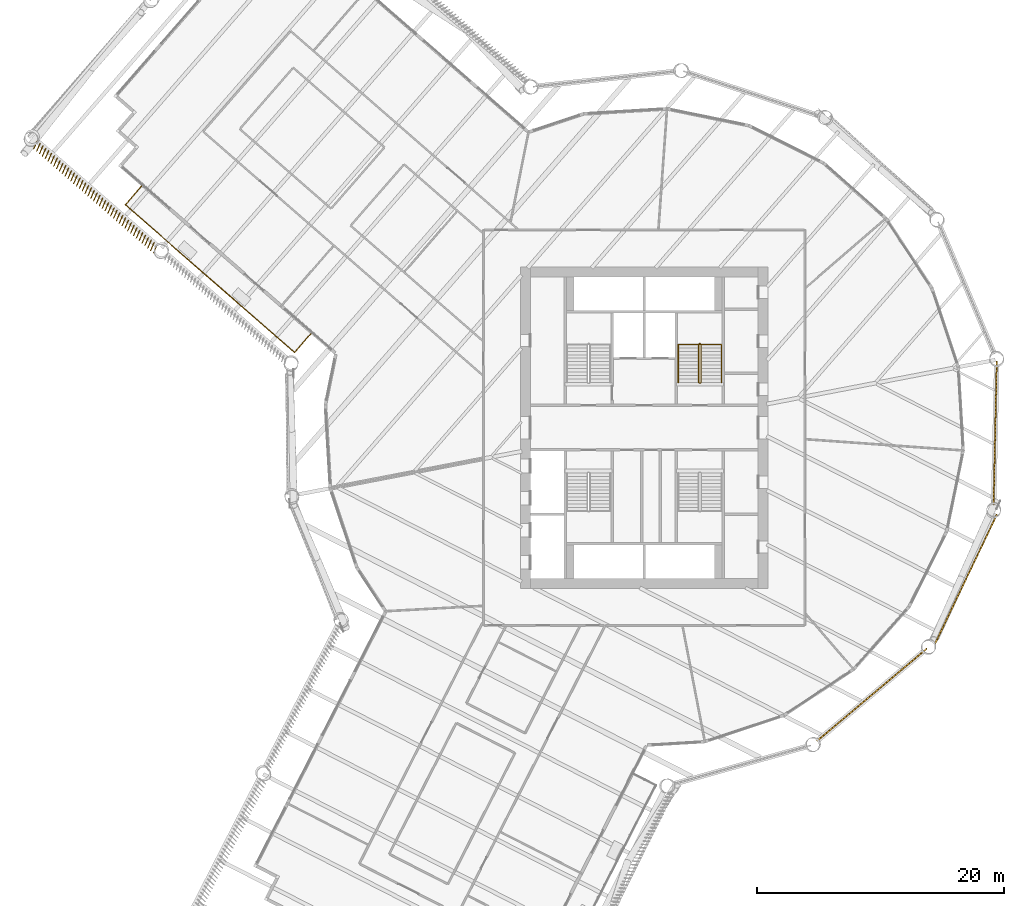
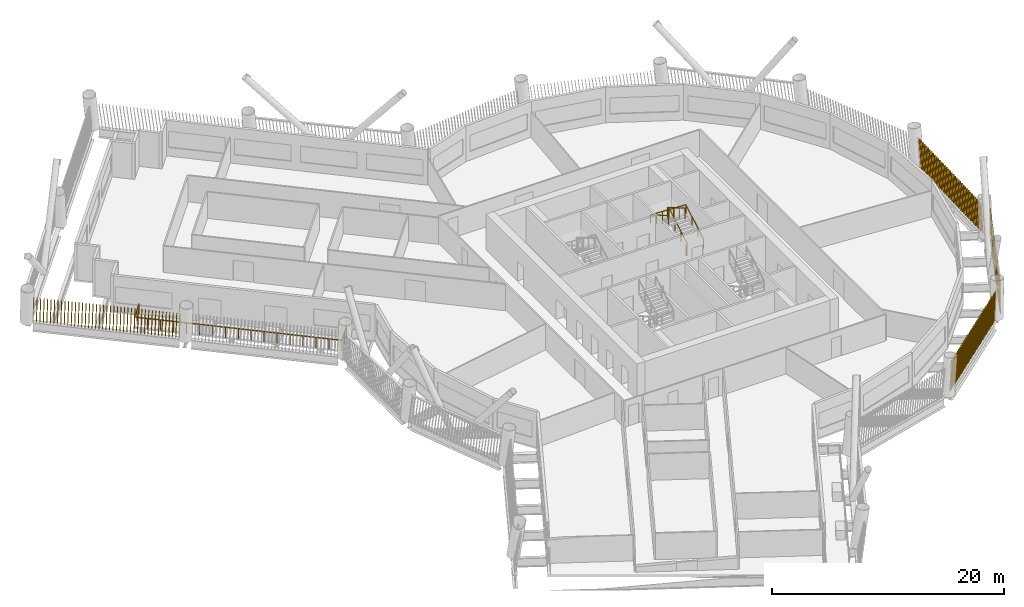
# One storey, part 18 of 21: 4 shading devices, 3 railings.
"""IFC4 building model written with IfcOpenShell, lengths in metres."""

from ifc_helpers import new_model, si_unit, direction, frame, frame_2d, origin, origin_2d, place, context, subcontext, project, spatial, rectangle, circle, composite_profile, extrude, material, type_object, element, save


model = new_model("IFC4")

# Units and contexts
model_context = context("Model", 3, precision=1e-05, world=origin(), true_north=direction((0.0, 1.0)))
body_context = subcontext(model_context, "Body", "Model", "MODEL_VIEW")
ifc_project = project(units=[si_unit("LENGTHUNIT", "METRE"), si_unit("AREAUNIT", "SQUARE_METRE"), si_unit("VOLUMEUNIT", "CUBIC_METRE"), si_unit("PLANEANGLEUNIT", "RADIAN"), si_unit("MASSUNIT", "GRAM", prefix="KILO")], contexts=[model_context])

# Site, building, storey
site_placement = place(None, origin())
site = spatial("IfcSite", under=ifc_project, at=site_placement, CompositionType="ELEMENT")
building_placement = place(site_placement, origin())
building = spatial("IfcBuilding", under=site, at=building_placement, Name="Tarsis Ring Headquarters", CompositionType="ELEMENT")
storey_placement = place(building_placement, frame((0.0, 0.0, 100.60009765625)))
storey = spatial("IfcBuildingStorey", under=building, at=storey_placement, Name="L22", CompositionType="ELEMENT", Elevation=100.60009765625)

# Railings
ifc_material_1 = material(Name="Stainless steel guard", Category="steel")
railing_type_1 = type_object("IfcRailingType", Name="Balcony balustrade with mesh infill 1100", PredefinedType="BALUSTRADE", material=ifc_material_1)
railing_1_placement = place(storey_placement, frame((-40.67529296875, 19.538818359375, 0.0)))
element("IfcRailing", 1, at=railing_1_placement, inside=storey, type_object=railing_type_1, Name="Balcony balustrade L22-01", PredefinedType="BALUSTRADE", context=body_context, shape_type="SweptSolid", body=[
    extrude(circle(Radius=0.030029296875, at=origin_2d()), frame((0.0, 0.0, 1.070068359375), z_axis=(-0.657112080824, -0.753792884839, 0.0), x_axis=(0.753792884839, -0.657112080824, 0.0)), (0.0, 0.0, 1.0), 2.0),
    extrude(circle(Radius=0.030029296875, at=origin_2d()), frame((-1.314208984375, -1.507568359375, 1.070068359375), z_axis=(0.75379218218, -0.657112886865, 0.0), x_axis=(0.657112886865, 0.75379218218, 0.0)), (0.0, 0.0, 1.0), 18.171875),
    extrude(circle(Radius=0.030029296875, at=origin_2d()), frame((12.383544921875, -13.448486328125, 1.070068359375), z_axis=(0.657181434085, 0.753732421151, 0.0), x_axis=(-0.753732421151, 0.657181434085, 0.0)), (0.0, 0.0, 1.0), 2.000244140625),
    extrude(circle(Radius=0.02490234375, at=origin_2d()), origin(), (0.0, 0.0, 1.0), 1.0400390625),
    extrude(circle(Radius=0.02490234375, at=origin_2d()), frame((-0.6572265625, -0.75390625, 0.0)), (0.0, 0.0, 1.0), 1.0400390625),
    extrude(circle(Radius=0.02490234375, at=origin_2d()), frame((-1.314208984375, -1.507568359375, 0.0)), (0.0, 0.0, 1.0), 1.0400390625),
    extrude(circle(Radius=0.02490234375, at=origin_2d()), frame((-0.4580078125, -2.25390625, 0.0)), (0.0, 0.0, 1.0), 1.0400390625),
    extrude(circle(Radius=0.02490234375, at=origin_2d()), frame((0.39794921875, -3.000244140625, 0.0)), (0.0, 0.0, 1.0), 1.0400390625),
    extrude(circle(Radius=0.02490234375, at=origin_2d()), frame((1.254150390625, -3.74658203125, 0.0)), (0.0, 0.0, 1.0), 1.0400390625),
    extrude(circle(Radius=0.02490234375, at=origin_2d()), frame((2.1103515625, -4.49267578125, 0.0)), (0.0, 0.0, 1.0), 1.0400390625),
    extrude(circle(Radius=0.02490234375, at=origin_2d()), frame((2.96630859375, -5.239013671875, 0.0)), (0.0, 0.0, 1.0), 1.0400390625),
    extrude(circle(Radius=0.02490234375, at=origin_2d()), frame((3.822509765625, -5.9853515625, 0.0)), (0.0, 0.0, 1.0), 1.0400390625),
    extrude(circle(Radius=0.02490234375, at=origin_2d()), frame((4.678466796875, -6.731689453125, 0.0)), (0.0, 0.0, 1.0), 1.0400390625),
    extrude(circle(Radius=0.02490234375, at=origin_2d()), frame((5.53466796875, -7.47802734375, 0.0)), (0.0, 0.0, 1.0), 1.0400390625),
    extrude(circle(Radius=0.02490234375, at=origin_2d()), frame((6.390869140625, -8.224365234375, 0.0)), (0.0, 0.0, 1.0), 1.0400390625),
    extrude(circle(Radius=0.02490234375, at=origin_2d()), frame((7.246826171875, -8.970703125, 0.0)), (0.0, 0.0, 1.0), 1.0400390625),
    extrude(circle(Radius=0.02490234375, at=origin_2d()), frame((8.10302734375, -9.717041015625, 0.0)), (0.0, 0.0, 1.0), 1.0400390625),
    extrude(circle(Radius=0.02490234375, at=origin_2d()), frame((8.958984375, -10.46337890625, 0.0)), (0.0, 0.0, 1.0), 1.0400390625),
    extrude(circle(Radius=0.02490234375, at=origin_2d()), frame((9.815185546875, -11.20947265625, 0.0)), (0.0, 0.0, 1.0), 1.0400390625),
    extrude(circle(Radius=0.02490234375, at=origin_2d()), frame((10.67138671875, -11.955810546875, 0.0)), (0.0, 0.0, 1.0), 1.0400390625),
    extrude(circle(Radius=0.02490234375, at=origin_2d()), frame((11.52734375, -12.7021484375, 0.0)), (0.0, 0.0, 1.0), 1.0400390625),
    extrude(circle(Radius=0.02490234375, at=origin_2d()), frame((12.383544921875, -13.448486328125, 0.0)), (0.0, 0.0, 1.0), 1.0400390625),
    extrude(circle(Radius=0.02490234375, at=origin_2d()), frame((13.040771484375, -12.69482421875, 0.0)), (0.0, 0.0, 1.0), 1.0400390625),
    extrude(circle(Radius=0.02490234375, at=origin_2d()), frame((13.697998046875, -11.94091796875, 0.0)), (0.0, 0.0, 1.0), 1.0400390625),
])
ifc_material_2 = material(Name="Steel S355", Category="steel")
railing_type_2 = type_object("IfcRailingType", Name="Core stair guard 1100", PredefinedType="GUARDRAIL", material=ifc_material_2)
railing_2_placement = place(storey_placement, frame((4.4599609375, 3.610107421875, 0.0)))
element("IfcRailing", 2, at=railing_2_placement, inside=storey, type_object=railing_type_2, Name="L22 ST2 stair guard 1", PredefinedType="GUARDRAIL", context=body_context, shape_type="SweptSolid", body=[
    extrude(circle(Radius=0.02392578125, at=origin_2d()), frame((0.0, 0.0, 1.076171875), z_axis=(1.0, 0.0, 0.0), x_axis=(0.0, 1.0, 0.0)), (0.0, 0.0, 1.0), 0.080078125),
    extrude(circle(Radius=0.02392578125, at=origin_2d()), frame((0.080078125, 0.0, 1.076171875), z_axis=(0.282693820306, 0.281314826061, 0.917031173188), x_axis=(-0.705375805398, 0.708833529934, 0.0)), (0.0, 0.0, 1.0), 0.177001953125),
    extrude(circle(Radius=0.02392578125, at=origin_2d()), frame((0.130126953125, 0.0498046875, 1.23828125), z_axis=(0.0, 0.864890721111, 0.501960198159), x_axis=(-1.0, 0.0, 0.0)), (0.0, 0.0, 1.0), 3.561279296875),
    extrude(circle(Radius=0.02392578125, at=origin_2d()), frame((0.130126953125, 3.1298828125, 3.02587890625), z_axis=(-0.707106781187, 0.707106781187, 0.0), x_axis=(-0.707106781187, -0.707106781187, 0.0)), (0.0, 0.0, 1.0), 0.07080078125),
    extrude(circle(Radius=0.02392578125, at=origin_2d()), frame((0.080078125, 3.179931640625, 3.02587890625), z_axis=(-1.0, 0.0, 0.0), x_axis=(0.0, -1.0, 0.0)), (0.0, 0.0, 1.0), 0.080078125),
    extrude(circle(Radius=0.02392578125, at=origin_2d()), frame((0.0, 3.179931640625, 3.02587890625), z_axis=(-0.282583949758, -0.282583949758, 0.916674763849), x_axis=(0.707106781187, -0.707106781187, 0.0)), (0.0, 0.0, 1.0), 0.177001953125),
    extrude(circle(Radius=0.02392578125, at=origin_2d()), frame((-0.050048828125, 3.1298828125, 3.1884765625), z_axis=(0.0, -0.864890721111, 0.501960198159), x_axis=(1.0, 0.0, 0.0)), (0.0, 0.0, 1.0), 3.561279296875),
    extrude(circle(Radius=0.02099609375, at=origin_2d()), origin(), (0.0, 0.0, 1.0), 1.052001953125),
    extrude(circle(Radius=0.02099609375, at=origin_2d()), frame((0.080078125, 0.0, 0.0)), (0.0, 0.0, 1.0), 1.052001953125),
    extrude(circle(Radius=0.02099609375, at=origin_2d()), frame((0.130126953125, 0.0498046875, 0.162353515625)), (0.0, 0.0, 1.0), 1.052001953125),
    extrude(circle(Radius=0.02099609375, at=origin_2d()), frame((0.130126953125, 1.076416015625, 0.75830078125)), (0.0, 0.0, 1.0), 1.052001953125),
    extrude(circle(Radius=0.02099609375, at=origin_2d()), frame((0.130126953125, 2.103271484375, 1.35400390625)), (0.0, 0.0, 1.0), 1.052001953125),
    extrude(circle(Radius=0.02099609375, at=origin_2d()), frame((0.130126953125, 3.1298828125, 1.949951171875)), (0.0, 0.0, 1.0), 1.052001953125),
    extrude(circle(Radius=0.02099609375, at=origin_2d()), frame((0.080078125, 3.179931640625, 1.949951171875)), (0.0, 0.0, 1.0), 1.052001953125),
    extrude(circle(Radius=0.02099609375, at=origin_2d()), frame((0.0, 3.179931640625, 1.949951171875)), (0.0, 0.0, 1.0), 1.052001953125),
    extrude(circle(Radius=0.02099609375, at=origin_2d()), frame((-0.050048828125, 3.1298828125, 2.1123046875)), (0.0, 0.0, 1.0), 1.052001953125),
    extrude(circle(Radius=0.02099609375, at=origin_2d()), frame((-0.050048828125, 2.103271484375, 2.708251953125)), (0.0, 0.0, 1.0), 1.052001953125),
    extrude(circle(Radius=0.02099609375, at=origin_2d()), frame((-0.050048828125, 1.076416015625, 3.303955078125)), (0.0, 0.0, 1.0), 1.052001953125),
    extrude(circle(Radius=0.02099609375, at=origin_2d()), frame((-0.050048828125, 0.0498046875, 3.89990234375)), (0.0, 0.0, 1.0), 1.052001953125),
])
railing_type_3 = type_object("IfcRailingType", Name="Core stair handrail 900", PredefinedType="HANDRAIL", material=ifc_material_2)
railing_3_placement = place(storey_placement, frame((6.25, 3.659912109375, 0.162353515625)))
element("IfcRailing", 3, at=railing_3_placement, inside=storey, type_object=railing_type_3, Name="L22 ST2 stair handrail 1", PredefinedType="HANDRAIL", context=body_context, shape_type="SweptSolid", body=[
    extrude(circle(Radius=0.02392578125, at=origin_2d()), frame((0.0, 0.0, 0.8759765625), z_axis=(0.0, 0.864890721111, 0.501960198159), x_axis=(-1.0, 0.0, 0.0)), (0.0, 0.0, 1.0), 3.561279296875),
    extrude(circle(Radius=0.02392578125, at=origin_2d()), frame((0.0, 3.080078125, 2.66357421875), z_axis=(-0.998925869279, 0.0, 0.04633689335), x_axis=(0.0, -1.0, 0.0)), (0.0, 0.0, 1.0), 3.503662109375),
    extrude(circle(Radius=0.02392578125, at=origin_2d()), frame((-3.5, 3.080078125, 2.82568359375), z_axis=(0.0, -0.864890721111, 0.501960198159), x_axis=(1.0, 0.0, 0.0)), (0.0, 0.0, 1.0), 3.561279296875),
    extrude(circle(Radius=0.02099609375, at=origin_2d()), origin(), (0.0, 0.0, 1.0), 0.851806640625),
    extrude(circle(Radius=0.02099609375, at=origin_2d()), frame((0.0, 1.026611328125, 0.595947265625)), (0.0, 0.0, 1.0), 0.851806640625),
    extrude(circle(Radius=0.02099609375, at=origin_2d()), frame((0.0, 2.053466796875, 1.191650390625)), (0.0, 0.0, 1.0), 0.851806640625),
    extrude(circle(Radius=0.02099609375, at=origin_2d()), frame((0.0, 3.080078125, 1.78759765625)), (0.0, 0.0, 1.0), 0.851806640625),
    extrude(circle(Radius=0.02099609375, at=origin_2d()), frame((-1.166748046875, 3.080078125, 1.841796875)), (0.0, 0.0, 1.0), 0.851806640625),
    extrude(circle(Radius=0.02099609375, at=origin_2d()), frame((-2.333251953125, 3.080078125, 1.895751953125)), (0.0, 0.0, 1.0), 0.851806640625),
    extrude(circle(Radius=0.02099609375, at=origin_2d()), frame((-3.5, 3.080078125, 1.949951171875)), (0.0, 0.0, 1.0), 0.851806640625),
    extrude(circle(Radius=0.02099609375, at=origin_2d()), frame((-3.5, 2.053466796875, 2.5458984375)), (0.0, 0.0, 1.0), 0.851806640625),
    extrude(circle(Radius=0.02099609375, at=origin_2d()), frame((-3.5, 1.026611328125, 3.1416015625)), (0.0, 0.0, 1.0), 0.851806640625),
    extrude(circle(Radius=0.02099609375, at=origin_2d()), frame((-3.5, 0.0, 3.737548828125)), (0.0, 0.0, 1.0), 0.851806640625),
])

# Shading devices
ifc_material_3 = material(Name="Terracotta baguette", Category="masonry")
shading_device_type = type_object("IfcShadingDeviceType", Name="Terracotta baguette screen", PredefinedType="USERDEFINED", material=ifc_material_3)
shading_device_1_placement = place(storey_placement, frame((13.971923828125, -25.35205078125, 0.0), z_axis=(0.0, 0.0, 1.0), x_axis=(0.765322510635, 0.643632259745, 0.0)))
element("IfcShadingDevice", 4, at=shading_device_1_placement, inside=storey, type_object=shading_device_type, Name="Baguette screen L22-08", ObjectType="Terracotta baguette screen", PredefinedType="USERDEFINED", context=body_context, shape_type="SweptSolid", body=[
    extrude(composite_profile([rectangle(XDim=0.06005859375, YDim=0.1201171875, at=frame_2d((0.030029296875, 0.0))), rectangle(XDim=0.06005859375, YDim=0.1201171875, at=frame_2d((0.33251953125, 0.0))), rectangle(XDim=0.06005859375, YDim=0.1201171875, at=frame_2d((0.634765625, 0.0))), rectangle(XDim=0.06005859375, YDim=0.1201171875, at=frame_2d((0.937255859375, 0.0))), rectangle(XDim=0.06005859375, YDim=0.1201171875, at=frame_2d((1.239501953125, 0.0))), rectangle(XDim=0.06005859375, YDim=0.1201171875, at=frame_2d((1.5419921875, 0.0))), rectangle(XDim=0.06005859375, YDim=0.1201171875, at=frame_2d((1.844482421875, 0.0))), rectangle(XDim=0.06005859375, YDim=0.1201171875, at=frame_2d((2.146728515625, 0.0))), rectangle(XDim=0.06005859375, YDim=0.1201171875, at=frame_2d((2.44921875, 0.0))), rectangle(XDim=0.06005859375, YDim=0.1201171875, at=frame_2d((2.751708984375, 0.0))), rectangle(XDim=0.06005859375, YDim=0.1201171875, at=frame_2d((3.053955078125, 0.0))), rectangle(XDim=0.06005859375, YDim=0.1201171875, at=frame_2d((3.3564453125, 0.0))), rectangle(XDim=0.06005859375, YDim=0.1201171875, at=frame_2d((3.65869140625, 0.0))), rectangle(XDim=0.06005859375, YDim=0.1201171875, at=frame_2d((3.961181640625, 0.0))), rectangle(XDim=0.06005859375, YDim=0.1201171875, at=frame_2d((4.263671875, 0.0))), rectangle(XDim=0.06005859375, YDim=0.1201171875, at=frame_2d((4.56591796875, 0.0))), rectangle(XDim=0.06005859375, YDim=0.1201171875, at=frame_2d((4.868408203125, 0.0))), rectangle(XDim=0.06005859375, YDim=0.1201171875, at=frame_2d((5.1708984375, 0.0))), rectangle(XDim=0.06005859375, YDim=0.1201171875, at=frame_2d((5.47314453125, 0.0))), rectangle(XDim=0.06005859375, YDim=0.1201171875, at=frame_2d((5.775634765625, 0.0))), rectangle(XDim=0.06005859375, YDim=0.1201171875, at=frame_2d((6.077880859375, 0.0))), rectangle(XDim=0.06005859375, YDim=0.1201171875, at=frame_2d((6.38037109375, 0.0))), rectangle(XDim=0.06005859375, YDim=0.1201171875, at=frame_2d((6.682861328125, 0.0))), rectangle(XDim=0.06005859375, YDim=0.1201171875, at=frame_2d((6.985107421875, 0.0))), rectangle(XDim=0.06005859375, YDim=0.1201171875, at=frame_2d((7.28759765625, 0.0))), rectangle(XDim=0.06005859375, YDim=0.1201171875, at=frame_2d((7.590087890625, 0.0))), rectangle(XDim=0.06005859375, YDim=0.1201171875, at=frame_2d((7.892333984375, 0.0))), rectangle(XDim=0.06005859375, YDim=0.1201171875, at=frame_2d((8.19482421875, 0.0))), rectangle(XDim=0.06005859375, YDim=0.1201171875, at=frame_2d((8.4970703125, 0.0))), rectangle(XDim=0.06005859375, YDim=0.1201171875, at=frame_2d((8.799560546875, 0.0))), rectangle(XDim=0.06005859375, YDim=0.1201171875, at=frame_2d((9.10205078125, 0.0))), rectangle(XDim=0.06005859375, YDim=0.1201171875, at=frame_2d((9.404296875, 0.0))), rectangle(XDim=0.06005859375, YDim=0.1201171875, at=frame_2d((9.706787109375, 0.0))), rectangle(XDim=0.06005859375, YDim=0.1201171875, at=frame_2d((10.00927734375, 0.0))), rectangle(XDim=0.06005859375, YDim=0.1201171875, at=frame_2d((10.3115234375, 0.0))), rectangle(XDim=0.06005859375, YDim=0.1201171875, at=frame_2d((10.614013671875, 0.0))), rectangle(XDim=0.06005859375, YDim=0.1201171875, at=frame_2d((10.916259765625, 0.0))), rectangle(XDim=0.06005859375, YDim=0.1201171875, at=frame_2d((11.21875, 0.0)))]), origin(), (0.129819467843, 0.00088363436, 0.99153725344), 2.9775390625),
])
shading_device_2_placement = place(storey_placement, frame((23.517822265625, -17.5009765625, 0.0), z_axis=(0.0, 0.0, 1.0), x_axis=(0.431991318502, 0.901877373847, 0.0)))
element("IfcShadingDevice", 5, at=shading_device_2_placement, inside=storey, type_object=shading_device_type, Name="Baguette screen L22-09", ObjectType="Terracotta baguette screen", PredefinedType="USERDEFINED", context=body_context, shape_type="SweptSolid", body=[
    extrude(composite_profile([rectangle(XDim=0.06005859375, YDim=0.1201171875, at=frame_2d((0.030029296875, 0.0))), rectangle(XDim=0.06005859375, YDim=0.1201171875, at=frame_2d((0.33251953125, 0.0))), rectangle(XDim=0.06005859375, YDim=0.1201171875, at=frame_2d((0.634765625, 0.0))), rectangle(XDim=0.06005859375, YDim=0.1201171875, at=frame_2d((0.937255859375, 0.0))), rectangle(XDim=0.06005859375, YDim=0.1201171875, at=frame_2d((1.239501953125, 0.0))), rectangle(XDim=0.06005859375, YDim=0.1201171875, at=frame_2d((1.5419921875, 0.0))), rectangle(XDim=0.06005859375, YDim=0.1201171875, at=frame_2d((1.844482421875, 0.0))), rectangle(XDim=0.06005859375, YDim=0.1201171875, at=frame_2d((2.146728515625, 0.0))), rectangle(XDim=0.06005859375, YDim=0.1201171875, at=frame_2d((2.44921875, 0.0))), rectangle(XDim=0.06005859375, YDim=0.1201171875, at=frame_2d((2.751708984375, 0.0))), rectangle(XDim=0.06005859375, YDim=0.1201171875, at=frame_2d((3.053955078125, 0.0))), rectangle(XDim=0.06005859375, YDim=0.1201171875, at=frame_2d((3.3564453125, 0.0))), rectangle(XDim=0.06005859375, YDim=0.1201171875, at=frame_2d((3.65869140625, 0.0))), rectangle(XDim=0.06005859375, YDim=0.1201171875, at=frame_2d((3.961181640625, 0.0))), rectangle(XDim=0.06005859375, YDim=0.1201171875, at=frame_2d((4.263671875, 0.0))), rectangle(XDim=0.06005859375, YDim=0.1201171875, at=frame_2d((4.56591796875, 0.0))), rectangle(XDim=0.06005859375, YDim=0.1201171875, at=frame_2d((4.868408203125, 0.0))), rectangle(XDim=0.06005859375, YDim=0.1201171875, at=frame_2d((5.1708984375, 0.0))), rectangle(XDim=0.06005859375, YDim=0.1201171875, at=frame_2d((5.47314453125, 0.0))), rectangle(XDim=0.06005859375, YDim=0.1201171875, at=frame_2d((5.775634765625, 0.0))), rectangle(XDim=0.06005859375, YDim=0.1201171875, at=frame_2d((6.077880859375, 0.0))), rectangle(XDim=0.06005859375, YDim=0.1201171875, at=frame_2d((6.38037109375, 0.0))), rectangle(XDim=0.06005859375, YDim=0.1201171875, at=frame_2d((6.682861328125, 0.0))), rectangle(XDim=0.06005859375, YDim=0.1201171875, at=frame_2d((6.985107421875, 0.0))), rectangle(XDim=0.06005859375, YDim=0.1201171875, at=frame_2d((7.28759765625, 0.0))), rectangle(XDim=0.06005859375, YDim=0.1201171875, at=frame_2d((7.590087890625, 0.0))), rectangle(XDim=0.06005859375, YDim=0.1201171875, at=frame_2d((7.892333984375, 0.0))), rectangle(XDim=0.06005859375, YDim=0.1201171875, at=frame_2d((8.19482421875, 0.0))), rectangle(XDim=0.06005859375, YDim=0.1201171875, at=frame_2d((8.4970703125, 0.0))), rectangle(XDim=0.06005859375, YDim=0.1201171875, at=frame_2d((8.799560546875, 0.0))), rectangle(XDim=0.06005859375, YDim=0.1201171875, at=frame_2d((9.10205078125, 0.0))), rectangle(XDim=0.06005859375, YDim=0.1201171875, at=frame_2d((9.404296875, 0.0))), rectangle(XDim=0.06005859375, YDim=0.1201171875, at=frame_2d((9.706787109375, 0.0))), rectangle(XDim=0.06005859375, YDim=0.1201171875, at=frame_2d((10.00927734375, 0.0))), rectangle(XDim=0.06005859375, YDim=0.1201171875, at=frame_2d((10.3115234375, 0.0))), rectangle(XDim=0.06005859375, YDim=0.1201171875, at=frame_2d((10.614013671875, 0.0))), rectangle(XDim=0.06005859375, YDim=0.1201171875, at=frame_2d((10.916259765625, 0.0))), rectangle(XDim=0.06005859375, YDim=0.1201171875, at=frame_2d((11.21875, 0.0)))]), origin(), (0.131505505035, 0.000896014783, 0.991315035346), 2.978271484375),
])
shading_device_3_placement = place(storey_placement, frame((28.265869140625, -6.2431640625, 0.0), z_axis=(0.0, 0.0, 1.0), x_axis=(0.021855670103, 0.999761258817, 0.0)))
element("IfcShadingDevice", 6, at=shading_device_3_placement, inside=storey, type_object=shading_device_type, Name="Baguette screen L22-10", ObjectType="Terracotta baguette screen", PredefinedType="USERDEFINED", context=body_context, shape_type="SweptSolid", body=[
    extrude(composite_profile([rectangle(XDim=0.06005859375, YDim=0.1201171875, at=frame_2d((0.030029296875, 0.0))), rectangle(XDim=0.06005859375, YDim=0.1201171875, at=frame_2d((0.33251953125, 0.0))), rectangle(XDim=0.06005859375, YDim=0.1201171875, at=frame_2d((0.634765625, 0.0))), rectangle(XDim=0.06005859375, YDim=0.1201171875, at=frame_2d((0.937255859375, 0.0))), rectangle(XDim=0.06005859375, YDim=0.1201171875, at=frame_2d((1.239501953125, 0.0))), rectangle(XDim=0.06005859375, YDim=0.1201171875, at=frame_2d((1.5419921875, 0.0))), rectangle(XDim=0.06005859375, YDim=0.1201171875, at=frame_2d((1.844482421875, 0.0))), rectangle(XDim=0.06005859375, YDim=0.1201171875, at=frame_2d((2.146728515625, 0.0))), rectangle(XDim=0.06005859375, YDim=0.1201171875, at=frame_2d((2.44921875, 0.0))), rectangle(XDim=0.06005859375, YDim=0.1201171875, at=frame_2d((2.751708984375, 0.0))), rectangle(XDim=0.06005859375, YDim=0.1201171875, at=frame_2d((3.053955078125, 0.0))), rectangle(XDim=0.06005859375, YDim=0.1201171875, at=frame_2d((3.3564453125, 0.0))), rectangle(XDim=0.06005859375, YDim=0.1201171875, at=frame_2d((3.65869140625, 0.0))), rectangle(XDim=0.06005859375, YDim=0.1201171875, at=frame_2d((3.961181640625, 0.0))), rectangle(XDim=0.06005859375, YDim=0.1201171875, at=frame_2d((4.263671875, 0.0))), rectangle(XDim=0.06005859375, YDim=0.1201171875, at=frame_2d((4.56591796875, 0.0))), rectangle(XDim=0.06005859375, YDim=0.1201171875, at=frame_2d((4.868408203125, 0.0))), rectangle(XDim=0.06005859375, YDim=0.1201171875, at=frame_2d((5.1708984375, 0.0))), rectangle(XDim=0.06005859375, YDim=0.1201171875, at=frame_2d((5.47314453125, 0.0))), rectangle(XDim=0.06005859375, YDim=0.1201171875, at=frame_2d((5.775634765625, 0.0))), rectangle(XDim=0.06005859375, YDim=0.1201171875, at=frame_2d((6.077880859375, 0.0))), rectangle(XDim=0.06005859375, YDim=0.1201171875, at=frame_2d((6.38037109375, 0.0))), rectangle(XDim=0.06005859375, YDim=0.1201171875, at=frame_2d((6.682861328125, 0.0))), rectangle(XDim=0.06005859375, YDim=0.1201171875, at=frame_2d((6.985107421875, 0.0))), rectangle(XDim=0.06005859375, YDim=0.1201171875, at=frame_2d((7.28759765625, 0.0))), rectangle(XDim=0.06005859375, YDim=0.1201171875, at=frame_2d((7.590087890625, 0.0))), rectangle(XDim=0.06005859375, YDim=0.1201171875, at=frame_2d((7.892333984375, 0.0))), rectangle(XDim=0.06005859375, YDim=0.1201171875, at=frame_2d((8.19482421875, 0.0))), rectangle(XDim=0.06005859375, YDim=0.1201171875, at=frame_2d((8.4970703125, 0.0))), rectangle(XDim=0.06005859375, YDim=0.1201171875, at=frame_2d((8.799560546875, 0.0))), rectangle(XDim=0.06005859375, YDim=0.1201171875, at=frame_2d((9.10205078125, 0.0))), rectangle(XDim=0.06005859375, YDim=0.1201171875, at=frame_2d((9.404296875, 0.0))), rectangle(XDim=0.06005859375, YDim=0.1201171875, at=frame_2d((9.706787109375, 0.0))), rectangle(XDim=0.06005859375, YDim=0.1201171875, at=frame_2d((10.00927734375, 0.0))), rectangle(XDim=0.06005859375, YDim=0.1201171875, at=frame_2d((10.3115234375, 0.0))), rectangle(XDim=0.06005859375, YDim=0.1201171875, at=frame_2d((10.614013671875, 0.0))), rectangle(XDim=0.06005859375, YDim=0.1201171875, at=frame_2d((10.916259765625, 0.0))), rectangle(XDim=0.06005859375, YDim=0.1201171875, at=frame_2d((11.21875, 0.0)))]), origin(), (0.129820928024, 0.000885957274, 0.991537060188), 2.9775390625),
])
shading_device_4_placement = place(storey_placement, frame((-49.148681640625, 23.2109375, 0.0), z_axis=(0.0, 0.0, 1.0), x_axis=(0.753784438389, -0.657110959734, 0.0)))
element("IfcShadingDevice", 7, at=shading_device_4_placement, inside=storey, type_object=shading_device_type, Name="Baguette screen L22-19", ObjectType="Terracotta baguette screen", PredefinedType="USERDEFINED", context=body_context, shape_type="SweptSolid", body=[
    extrude(composite_profile([rectangle(XDim=0.06005859375, YDim=0.1201171875, at=frame_2d((0.030029296875, 0.0))), rectangle(XDim=0.06005859375, YDim=0.1201171875, at=frame_2d((0.335693359375, 0.0))), rectangle(XDim=0.06005859375, YDim=0.1201171875, at=frame_2d((0.6416015625, 0.0))), rectangle(XDim=0.06005859375, YDim=0.1201171875, at=frame_2d((0.947265625, 0.0))), rectangle(XDim=0.06005859375, YDim=0.1201171875, at=frame_2d((1.253173828125, 0.0))), rectangle(XDim=0.06005859375, YDim=0.1201171875, at=frame_2d((1.558837890625, 0.0))), rectangle(XDim=0.06005859375, YDim=0.1201171875, at=frame_2d((1.864501953125, 0.0))), rectangle(XDim=0.06005859375, YDim=0.1201171875, at=frame_2d((2.17041015625, 0.0))), rectangle(XDim=0.06005859375, YDim=0.1201171875, at=frame_2d((2.47607421875, 0.0))), rectangle(XDim=0.06005859375, YDim=0.1201171875, at=frame_2d((2.781982421875, 0.0))), rectangle(XDim=0.06005859375, YDim=0.1201171875, at=frame_2d((3.087646484375, 0.0))), rectangle(XDim=0.06005859375, YDim=0.1201171875, at=frame_2d((3.393310546875, 0.0))), rectangle(XDim=0.06005859375, YDim=0.1201171875, at=frame_2d((3.69921875, 0.0))), rectangle(XDim=0.06005859375, YDim=0.1201171875, at=frame_2d((4.0048828125, 0.0))), rectangle(XDim=0.06005859375, YDim=0.1201171875, at=frame_2d((4.310791015625, 0.0))), rectangle(XDim=0.06005859375, YDim=0.1201171875, at=frame_2d((4.616455078125, 0.0))), rectangle(XDim=0.06005859375, YDim=0.1201171875, at=frame_2d((4.922119140625, 0.0))), rectangle(XDim=0.06005859375, YDim=0.1201171875, at=frame_2d((5.22802734375, 0.0))), rectangle(XDim=0.06005859375, YDim=0.1201171875, at=frame_2d((5.53369140625, 0.0))), rectangle(XDim=0.06005859375, YDim=0.1201171875, at=frame_2d((5.839599609375, 0.0))), rectangle(XDim=0.06005859375, YDim=0.1201171875, at=frame_2d((6.145263671875, 0.0))), rectangle(XDim=0.06005859375, YDim=0.1201171875, at=frame_2d((6.451171875, 0.0))), rectangle(XDim=0.06005859375, YDim=0.1201171875, at=frame_2d((6.7568359375, 0.0))), rectangle(XDim=0.06005859375, YDim=0.1201171875, at=frame_2d((7.0625, 0.0))), rectangle(XDim=0.06005859375, YDim=0.1201171875, at=frame_2d((7.368408203125, 0.0))), rectangle(XDim=0.06005859375, YDim=0.1201171875, at=frame_2d((7.674072265625, 0.0))), rectangle(XDim=0.06005859375, YDim=0.1201171875, at=frame_2d((7.97998046875, 0.0))), rectangle(XDim=0.06005859375, YDim=0.1201171875, at=frame_2d((8.28564453125, 0.0))), rectangle(XDim=0.06005859375, YDim=0.1201171875, at=frame_2d((8.59130859375, 0.0))), rectangle(XDim=0.06005859375, YDim=0.1201171875, at=frame_2d((8.897216796875, 0.0))), rectangle(XDim=0.06005859375, YDim=0.1201171875, at=frame_2d((9.202880859375, 0.0))), rectangle(XDim=0.06005859375, YDim=0.1201171875, at=frame_2d((9.5087890625, 0.0))), rectangle(XDim=0.06005859375, YDim=0.1201171875, at=frame_2d((9.814453125, 0.0))), rectangle(XDim=0.06005859375, YDim=0.1201171875, at=frame_2d((10.1201171875, 0.0))), rectangle(XDim=0.06005859375, YDim=0.1201171875, at=frame_2d((10.426025390625, 0.0))), rectangle(XDim=0.06005859375, YDim=0.1201171875, at=frame_2d((10.731689453125, 0.0))), rectangle(XDim=0.06005859375, YDim=0.1201171875, at=frame_2d((11.03759765625, 0.0))), rectangle(XDim=0.06005859375, YDim=0.1201171875, at=frame_2d((11.34326171875, 0.0))), rectangle(XDim=0.06005859375, YDim=0.1201171875, at=frame_2d((11.64892578125, 0.0))), rectangle(XDim=0.06005859375, YDim=0.1201171875, at=frame_2d((11.954833984375, 0.0))), rectangle(XDim=0.06005859375, YDim=0.1201171875, at=frame_2d((12.260498046875, 0.0))), rectangle(XDim=0.06005859375, YDim=0.1201171875, at=frame_2d((12.56640625, 0.0))), rectangle(XDim=0.06005859375, YDim=0.1201171875, at=frame_2d((12.8720703125, 0.0)))]), origin(), (0.068022338224, -0.20591769615, 0.976202265883), 3.0244140625),
])

save(model, "model.ifc")
